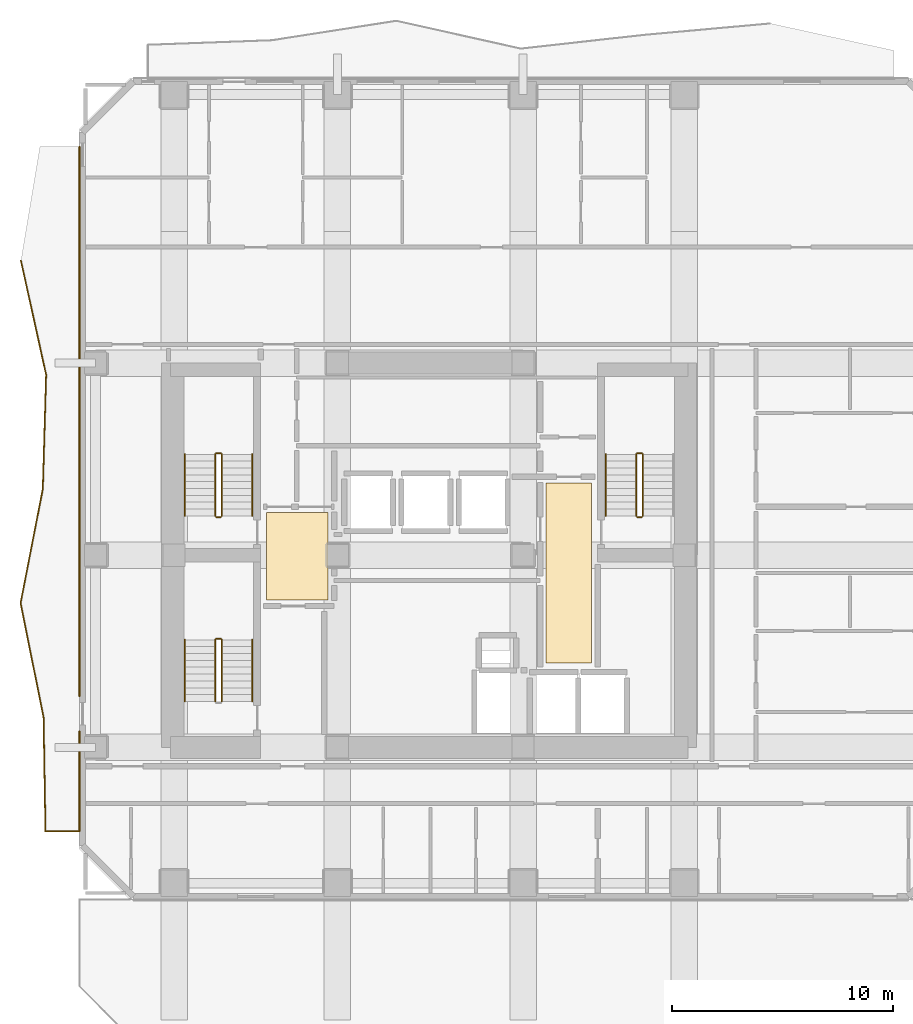
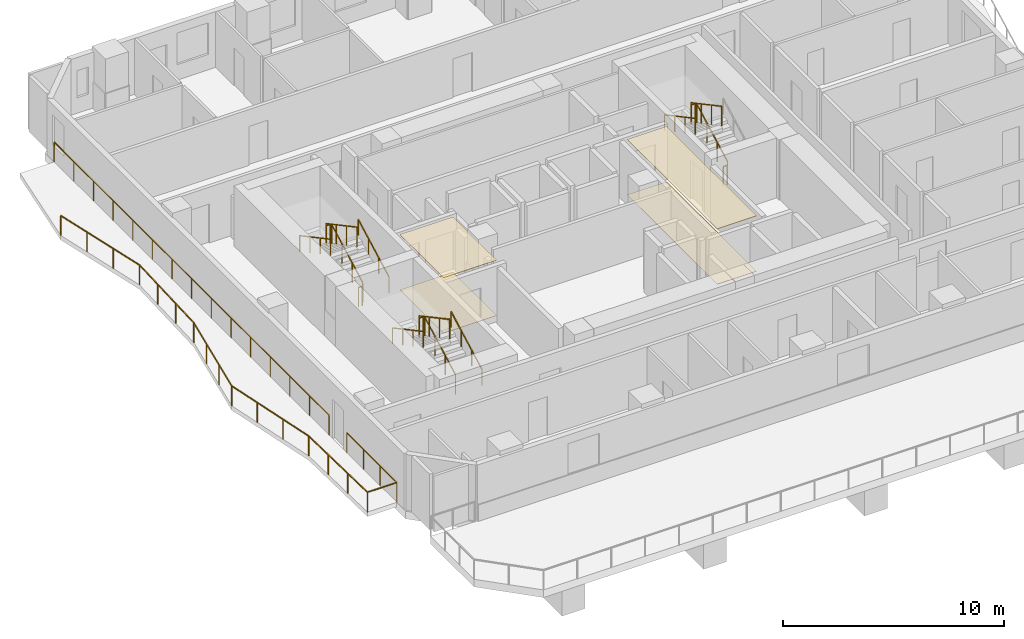
# One storey, part 8 of 9: 18 railings, 4 coverings.
"""IFC4 building model written with IfcOpenShell, lengths in metres."""

from ifc_helpers import new_model, si_unit, direction, frame, origin, origin_2d, place, context, subcontext, project, spatial, polyline, rectangle, outline, extrude, material, layer, layer_set, type_object, element, save


model = new_model("IFC4")

# Units and contexts
model_context = context("Model", 3, precision=1e-05, world=origin(), true_north=direction((0.0, 1.0)))
body_context = subcontext(model_context, "Body", "Model", "MODEL_VIEW")
ifc_project = project(units=[si_unit("LENGTHUNIT", "METRE"), si_unit("AREAUNIT", "SQUARE_METRE"), si_unit("VOLUMEUNIT", "CUBIC_METRE"), si_unit("PLANEANGLEUNIT", "RADIAN"), si_unit("MASSUNIT", "GRAM", prefix="KILO")], contexts=[model_context])

# Site, building, storey
site_placement = place(None, origin())
site = spatial("IfcSite", under=ifc_project, at=site_placement, CompositionType="ELEMENT")
building_placement = place(site_placement, origin())
building = spatial("IfcBuilding", under=site, at=building_placement, Name="Solanera Arch Residences", CompositionType="ELEMENT")
storey_placement = place(building_placement, frame((0.0, 0.0, 145.919921875)))
storey = spatial("IfcBuildingStorey", under=building, at=storey_placement, Name="L42", CompositionType="ELEMENT", Elevation=145.919921875)

# Railings
ifc_material_1 = material(Name="Steel S355 (ASTM A992 / A572 Grade 50)", Category="steel")
railing_type_1 = type_object("IfcRailingType", Name="Balustrade Railing BL-1100", PredefinedType="BALUSTRADE", material=ifc_material_1)
railing_1_placement = place(storey_placement, frame((6.468017578125, 44.032958984375, 0.0)))
element("IfcRailing", 1, at=railing_1_placement, inside=storey, type_object=railing_type_1, Name="L42 W Balcony Balustrade 1", PredefinedType="BALUSTRADE", context=body_context, shape_type="SweptSolid", body=[
    extrude(rectangle(XDim=0.048095703125, YDim=0.048095703125, at=origin_2d()), frame((0.0, 0.0, 1.09619140625), z_axis=(0.215293159236, -0.976549463973, 0.0), x_axis=(0.976549463973, 0.215293159236, 0.0)), (0.0, 0.0, 1.0), 5.2900390625),
    extrude(rectangle(XDim=0.048095703125, YDim=0.048095703125, at=origin_2d()), frame((1.138916015625, -5.166015625, 1.09619140625), z_axis=(-0.028999327663, -0.999579431058, 0.0), x_axis=(0.999579431058, -0.028999327663, 0.0)), (0.0, 0.0, 1.0), 5.169189453125),
    extrude(rectangle(XDim=0.048095703125, YDim=0.048095703125, at=origin_2d()), frame((0.989013671875, -10.3330078125, 1.09619140625), z_axis=(-0.191306587283, -0.981530330485, 0.0), x_axis=(0.981530330485, -0.191306587283, 0.0)), (0.0, 0.0, 1.0), 5.26416015625),
    extrude(rectangle(XDim=0.048095703125, YDim=0.048095703125, at=origin_2d()), frame((-0.01806640625, -15.5, 1.09619140625), z_axis=(0.197541396212, -0.980294545931, 0.0), x_axis=(0.980294545931, 0.197541396212, 0.0)), (0.0, 0.0, 1.0), 5.269775390625),
    extrude(rectangle(XDim=0.048095703125, YDim=0.048095703125, at=origin_2d()), frame((1.02294921875, -20.666015625, 1.09619140625), z_axis=(0.016629716702, -0.9998617167, 0.0), x_axis=(0.9998617167, 0.016629716702, 0.0)), (0.0, 0.0, 1.0), 5.167724609375),
    extrude(rectangle(XDim=0.048095703125, YDim=0.048095703125, at=origin_2d()), frame((1.10888671875, -25.8330078125, 1.09619140625), z_axis=(1.0, 0.0, 0.0), x_axis=(0.0, 1.0, 0.0)), (0.0, 0.0, 1.0), 1.543212890625),
    extrude(rectangle(XDim=0.048095703125, YDim=0.048095703125, at=origin_2d()), frame((2.652099609375, -25.8330078125, 1.09619140625), z_axis=(0.0, 1.0, 0.0), x_axis=(-1.0, 0.0, 0.0)), (0.0, 0.0, 1.0), 4.52197265625),
    extrude(rectangle(XDim=0.0419921875, YDim=0.0419921875, at=origin_2d()), origin(), (0.0, 0.0, 1.0), 1.072021484375),
    extrude(rectangle(XDim=0.0419921875, YDim=0.0419921875, at=origin_2d()), frame((0.379638671875, -1.721923828125, 0.0)), (0.0, 0.0, 1.0), 1.072021484375),
    extrude(rectangle(XDim=0.0419921875, YDim=0.0419921875, at=origin_2d()), frame((0.75927734375, -3.444091796875, 0.0)), (0.0, 0.0, 1.0), 1.072021484375),
    extrude(rectangle(XDim=0.0419921875, YDim=0.0419921875, at=origin_2d()), frame((1.138916015625, -5.166015625, 0.0)), (0.0, 0.0, 1.0), 1.072021484375),
    extrude(rectangle(XDim=0.0419921875, YDim=0.0419921875, at=origin_2d()), frame((1.0888671875, -6.888427734375, 0.0)), (0.0, 0.0, 1.0), 1.072021484375),
    extrude(rectangle(XDim=0.0419921875, YDim=0.0419921875, at=origin_2d()), frame((1.0390625, -8.610595703125, 0.0)), (0.0, 0.0, 1.0), 1.072021484375),
    extrude(rectangle(XDim=0.0419921875, YDim=0.0419921875, at=origin_2d()), frame((0.989013671875, -10.3330078125, 0.0)), (0.0, 0.0, 1.0), 1.072021484375),
    extrude(rectangle(XDim=0.0419921875, YDim=0.0419921875, at=origin_2d()), frame((0.6533203125, -12.055419921875, 0.0)), (0.0, 0.0, 1.0), 1.072021484375),
    extrude(rectangle(XDim=0.0419921875, YDim=0.0419921875, at=origin_2d()), frame((0.317626953125, -13.777587890625, 0.0)), (0.0, 0.0, 1.0), 1.072021484375),
    extrude(rectangle(XDim=0.0419921875, YDim=0.0419921875, at=origin_2d()), frame((-0.01806640625, -15.5, 0.0)), (0.0, 0.0, 1.0), 1.072021484375),
    extrude(rectangle(XDim=0.0419921875, YDim=0.0419921875, at=origin_2d()), frame((0.328857421875, -17.221923828125, 0.0)), (0.0, 0.0, 1.0), 1.072021484375),
    extrude(rectangle(XDim=0.0419921875, YDim=0.0419921875, at=origin_2d()), frame((0.676025390625, -18.944091796875, 0.0)), (0.0, 0.0, 1.0), 1.072021484375),
    extrude(rectangle(XDim=0.0419921875, YDim=0.0419921875, at=origin_2d()), frame((1.02294921875, -20.666015625, 0.0)), (0.0, 0.0, 1.0), 1.072021484375),
    extrude(rectangle(XDim=0.0419921875, YDim=0.0419921875, at=origin_2d()), frame((1.051513671875, -22.388427734375, 0.0)), (0.0, 0.0, 1.0), 1.072021484375),
    extrude(rectangle(XDim=0.0419921875, YDim=0.0419921875, at=origin_2d()), frame((1.080322265625, -24.110595703125, 0.0)), (0.0, 0.0, 1.0), 1.072021484375),
    extrude(rectangle(XDim=0.0419921875, YDim=0.0419921875, at=origin_2d()), frame((1.10888671875, -25.8330078125, 0.0)), (0.0, 0.0, 1.0), 1.072021484375),
    extrude(rectangle(XDim=0.0419921875, YDim=0.0419921875, at=origin_2d()), frame((2.652099609375, -25.8330078125, 0.0)), (0.0, 0.0, 1.0), 1.072021484375),
    extrude(rectangle(XDim=0.0419921875, YDim=0.0419921875, at=origin_2d()), frame((2.652099609375, -24.32568359375, 0.0)), (0.0, 0.0, 1.0), 1.072021484375),
    extrude(rectangle(XDim=0.0419921875, YDim=0.0419921875, at=origin_2d()), frame((2.652099609375, -22.818359375, 0.0)), (0.0, 0.0, 1.0), 1.072021484375),
    extrude(rectangle(XDim=0.0419921875, YDim=0.0419921875, at=origin_2d()), frame((2.652099609375, -21.31103515625, 0.0)), (0.0, 0.0, 1.0), 1.072021484375),
])
railing_2_placement = place(storey_placement, frame((9.1201171875, 24.322021484375, 0.0)))
element("IfcRailing", 2, at=railing_2_placement, inside=storey, type_object=railing_type_1, Name="L42 W Balcony Balustrade 2", PredefinedType="BALUSTRADE", context=body_context, shape_type="SweptSolid", body=[
    extrude(rectangle(XDim=0.048095703125, YDim=0.048095703125, at=origin_2d()), frame((0.0, 0.0, 1.09619140625), z_axis=(0.0, 1.0, 0.0), x_axis=(-1.0, 0.0, 0.0)), (0.0, 0.0, 1.0), 24.8779296875),
    extrude(rectangle(XDim=0.0419921875, YDim=0.0419921875, at=origin_2d()), origin(), (0.0, 0.0, 1.0), 1.072021484375),
    extrude(rectangle(XDim=0.0419921875, YDim=0.0419921875, at=origin_2d()), frame((0.0, 1.777099609375, 0.0)), (0.0, 0.0, 1.0), 1.072021484375),
    extrude(rectangle(XDim=0.0419921875, YDim=0.0419921875, at=origin_2d()), frame((0.0, 3.553955078125, 0.0)), (0.0, 0.0, 1.0), 1.072021484375),
    extrude(rectangle(XDim=0.0419921875, YDim=0.0419921875, at=origin_2d()), frame((0.0, 5.3310546875, 0.0)), (0.0, 0.0, 1.0), 1.072021484375),
    extrude(rectangle(XDim=0.0419921875, YDim=0.0419921875, at=origin_2d()), frame((0.0, 7.10791015625, 0.0)), (0.0, 0.0, 1.0), 1.072021484375),
    extrude(rectangle(XDim=0.0419921875, YDim=0.0419921875, at=origin_2d()), frame((0.0, 8.885009765625, 0.0)), (0.0, 0.0, 1.0), 1.072021484375),
    extrude(rectangle(XDim=0.0419921875, YDim=0.0419921875, at=origin_2d()), frame((0.0, 10.661865234375, 0.0)), (0.0, 0.0, 1.0), 1.072021484375),
    extrude(rectangle(XDim=0.0419921875, YDim=0.0419921875, at=origin_2d()), frame((0.0, 12.43896484375, 0.0)), (0.0, 0.0, 1.0), 1.072021484375),
    extrude(rectangle(XDim=0.0419921875, YDim=0.0419921875, at=origin_2d()), frame((0.0, 14.216064453125, 0.0)), (0.0, 0.0, 1.0), 1.072021484375),
    extrude(rectangle(XDim=0.0419921875, YDim=0.0419921875, at=origin_2d()), frame((0.0, 15.992919921875, 0.0)), (0.0, 0.0, 1.0), 1.072021484375),
    extrude(rectangle(XDim=0.0419921875, YDim=0.0419921875, at=origin_2d()), frame((0.0, 17.77001953125, 0.0)), (0.0, 0.0, 1.0), 1.072021484375),
    extrude(rectangle(XDim=0.0419921875, YDim=0.0419921875, at=origin_2d()), frame((0.0, 19.546875, 0.0)), (0.0, 0.0, 1.0), 1.072021484375),
    extrude(rectangle(XDim=0.0419921875, YDim=0.0419921875, at=origin_2d()), frame((0.0, 21.323974609375, 0.0)), (0.0, 0.0, 1.0), 1.072021484375),
    extrude(rectangle(XDim=0.0419921875, YDim=0.0419921875, at=origin_2d()), frame((0.0, 23.100830078125, 0.0)), (0.0, 0.0, 1.0), 1.072021484375),
    extrude(rectangle(XDim=0.0419921875, YDim=0.0419921875, at=origin_2d()), frame((0.0, 24.8779296875, 0.0)), (0.0, 0.0, 1.0), 1.072021484375),
])

# Coverings
ifc_material_2 = material(Name="Porcelain Acoustic Floor Tile", Category="ceramic")
ifc_layer_1 = layer(ifc_material_2, 0.02001953125)
ifc_layer_set_1 = layer_set([ifc_layer_1], Name="Porcelain Acoustic Floor Tile")
covering_type_1 = type_object("IfcCoveringType", Name="Porcelain Acoustic Floor Finish FLR-20", PredefinedType="FLOORING", material=ifc_layer_set_1)
covering_1_placement = place(storey_placement, origin())
element("IfcCovering", 3, at=covering_1_placement, inside=storey, type_object=covering_type_1, Name="L42-FFL-W Porcelain Floor Finish", PredefinedType="FLOORING", context=body_context, shape_type="SweptSolid", body=[
    extrude(outline(polyline([(20.375, 28.675048828125), (17.594970703125, 28.675048828125), (17.594970703125, 32.625), (20.375, 32.625), (20.375, 28.675048828125)])), origin(), (0.0, 0.0, 1.0), 0.02001953125),
])
covering_2_placement = place(storey_placement, origin())
element("IfcCovering", 4, at=covering_2_placement, inside=storey, type_object=covering_type_1, Name="L42-FFL-E Porcelain Floor Finish", PredefinedType="FLOORING", context=body_context, shape_type="SweptSolid", body=[
    extrude(outline(polyline([(32.304931640625, 25.824951171875), (30.25, 25.824951171875), (30.25, 33.97509765625), (32.304931640625, 33.97509765625), (32.304931640625, 25.824951171875)])), origin(), (0.0, 0.0, 1.0), 0.02001953125),
])

# Railings
ifc_material_3 = material(Name="Steel S355 (ASTM A992 / A572 Grade 50)", Category="steel")
railing_type_2 = type_object("IfcRailingType", Name="Stair Guardrail GR-1100", PredefinedType="GUARDRAIL", material=ifc_material_3)
railing_3_placement = place(storey_placement, frame((15.570068359375, 32.47998046875, 0.151123046875)))
element("IfcRailing", 5, at=railing_3_placement, inside=storey, type_object=railing_type_2, Name="L42 ST-T1 stair guard 1", PredefinedType="GUARDRAIL", context=body_context, shape_type="SweptSolid", body=[
    extrude(rectangle(XDim=0.048095703125, YDim=0.048095703125, at=origin_2d()), frame((0.0, 0.0, 1.076171875), z_axis=(0.0, 0.881580869306, 0.472033018838), x_axis=(-1.0, 0.0, 0.0)), (0.0, 0.0, 1.0), 3.164794921875),
    extrude(rectangle(XDim=0.0419921875, YDim=0.0419921875, at=origin_2d()), origin(), (0.0, 0.0, 1.0), 1.052001953125),
    extrude(rectangle(XDim=0.0419921875, YDim=0.0419921875, at=origin_2d()), frame((0.0, 0.929931640625, 0.498046875)), (0.0, 0.0, 1.0), 1.052001953125),
    extrude(rectangle(XDim=0.0419921875, YDim=0.0419921875, at=origin_2d()), frame((0.0, 1.860107421875, 0.995849609375)), (0.0, 0.0, 1.0), 1.052001953125),
    extrude(rectangle(XDim=0.0419921875, YDim=0.0419921875, at=origin_2d()), frame((0.0, 2.7900390625, 1.493896484375)), (0.0, 0.0, 1.0), 1.052001953125),
])
railing_4_placement = place(storey_placement, frame((15.52001953125, 35.320068359375, 1.64501953125)))
element("IfcRailing", 6, at=railing_4_placement, inside=storey, type_object=railing_type_2, Name="L42 ST-T1 stair guard 2", PredefinedType="GUARDRAIL", context=body_context, shape_type="SweptSolid", body=[
    extrude(rectangle(XDim=0.048095703125, YDim=0.048095703125, at=origin_2d()), frame((0.0, 0.0, 1.076171875), z_axis=(-1.0, 0.0, 0.0), x_axis=(0.0, -1.0, 0.0)), (0.0, 0.0, 1.0), 0.199951171875),
    extrude(rectangle(XDim=0.0419921875, YDim=0.0419921875, at=origin_2d()), origin(), (0.0, 0.0, 1.0), 1.052001953125),
    extrude(rectangle(XDim=0.0419921875, YDim=0.0419921875, at=origin_2d()), frame((-0.199951171875, 0.0, 0.0)), (0.0, 0.0, 1.0), 1.052001953125),
])
railing_5_placement = place(storey_placement, frame((15.27001953125, 35.27001953125, 1.81103515625)))
element("IfcRailing", 7, at=railing_5_placement, inside=storey, type_object=railing_type_2, Name="L42 ST-T1 stair guard 3", PredefinedType="GUARDRAIL", context=body_context, shape_type="SweptSolid", body=[
    extrude(rectangle(XDim=0.048095703125, YDim=0.048095703125, at=origin_2d()), frame((0.0, 0.0, 1.076171875), z_axis=(0.0, -0.881548766853, 0.472092969298), x_axis=(1.0, 0.0, 0.0)), (0.0, 0.0, 1.0), 3.1650390625),
    extrude(rectangle(XDim=0.0419921875, YDim=0.0419921875, at=origin_2d()), origin(), (0.0, 0.0, 1.0), 1.052001953125),
    extrude(rectangle(XDim=0.0419921875, YDim=0.0419921875, at=origin_2d()), frame((0.0, -0.929931640625, 0.498046875)), (0.0, 0.0, 1.0), 1.052001953125),
    extrude(rectangle(XDim=0.0419921875, YDim=0.0419921875, at=origin_2d()), frame((0.0, -1.860107421875, 0.99609375)), (0.0, 0.0, 1.0), 1.052001953125),
    extrude(rectangle(XDim=0.0419921875, YDim=0.0419921875, at=origin_2d()), frame((0.0, -2.7900390625, 1.494140625)), (0.0, 0.0, 1.0), 1.052001953125),
])
railing_6_placement = place(storey_placement, frame((15.52001953125, 32.429931640625, -0.014892578125)))
element("IfcRailing", 8, at=railing_6_placement, inside=storey, type_object=railing_type_2, Name="L42 ST-T1 stair guard 4", PredefinedType="GUARDRAIL", context=body_context, shape_type="SweptSolid", body=[
    extrude(rectangle(XDim=0.048095703125, YDim=0.048095703125, at=origin_2d()), frame((0.0, 0.0, 1.076171875), z_axis=(-1.0, 0.0, 0.0), x_axis=(0.0, -1.0, 0.0)), (0.0, 0.0, 1.0), 0.199951171875),
    extrude(rectangle(XDim=0.0419921875, YDim=0.0419921875, at=origin_2d()), origin(), (0.0, 0.0, 1.0), 1.052001953125),
    extrude(rectangle(XDim=0.0419921875, YDim=0.0419921875, at=origin_2d()), frame((-0.199951171875, 0.0, 0.0)), (0.0, 0.0, 1.0), 1.052001953125),
])
railing_7_placement = place(storey_placement, frame((34.6298828125, 32.47998046875, 0.151123046875)))
element("IfcRailing", 9, at=railing_7_placement, inside=storey, type_object=railing_type_2, Name="L42 ST-T2 stair guard 1", PredefinedType="GUARDRAIL", context=body_context, shape_type="SweptSolid", body=[
    extrude(rectangle(XDim=0.048095703125, YDim=0.048095703125, at=origin_2d()), frame((0.0, 0.0, 1.076171875), z_axis=(0.0, 0.881580869306, 0.472033018838), x_axis=(-1.0, 0.0, 0.0)), (0.0, 0.0, 1.0), 3.164794921875),
    extrude(rectangle(XDim=0.0419921875, YDim=0.0419921875, at=origin_2d()), origin(), (0.0, 0.0, 1.0), 1.052001953125),
    extrude(rectangle(XDim=0.0419921875, YDim=0.0419921875, at=origin_2d()), frame((0.0, 0.929931640625, 0.498046875)), (0.0, 0.0, 1.0), 1.052001953125),
    extrude(rectangle(XDim=0.0419921875, YDim=0.0419921875, at=origin_2d()), frame((0.0, 1.860107421875, 0.995849609375)), (0.0, 0.0, 1.0), 1.052001953125),
    extrude(rectangle(XDim=0.0419921875, YDim=0.0419921875, at=origin_2d()), frame((0.0, 2.7900390625, 1.493896484375)), (0.0, 0.0, 1.0), 1.052001953125),
])
railing_8_placement = place(storey_placement, frame((34.580078125, 35.320068359375, 1.64501953125)))
element("IfcRailing", 10, at=railing_8_placement, inside=storey, type_object=railing_type_2, Name="L42 ST-T2 stair guard 2", PredefinedType="GUARDRAIL", context=body_context, shape_type="SweptSolid", body=[
    extrude(rectangle(XDim=0.048095703125, YDim=0.048095703125, at=origin_2d()), frame((0.0, 0.0, 1.076171875), z_axis=(-1.0, 0.0, 0.0), x_axis=(0.0, -1.0, 0.0)), (0.0, 0.0, 1.0), 0.2001953125),
    extrude(rectangle(XDim=0.0419921875, YDim=0.0419921875, at=origin_2d()), origin(), (0.0, 0.0, 1.0), 1.052001953125),
    extrude(rectangle(XDim=0.0419921875, YDim=0.0419921875, at=origin_2d()), frame((-0.2001953125, 0.0, 0.0)), (0.0, 0.0, 1.0), 1.052001953125),
])
railing_9_placement = place(storey_placement, frame((34.330078125, 35.27001953125, 1.81103515625)))
element("IfcRailing", 11, at=railing_9_placement, inside=storey, type_object=railing_type_2, Name="L42 ST-T2 stair guard 3", PredefinedType="GUARDRAIL", context=body_context, shape_type="SweptSolid", body=[
    extrude(rectangle(XDim=0.048095703125, YDim=0.048095703125, at=origin_2d()), frame((0.0, 0.0, 1.076171875), z_axis=(0.0, -0.881548766853, 0.472092969298), x_axis=(1.0, 0.0, 0.0)), (0.0, 0.0, 1.0), 3.1650390625),
    extrude(rectangle(XDim=0.0419921875, YDim=0.0419921875, at=origin_2d()), origin(), (0.0, 0.0, 1.0), 1.052001953125),
    extrude(rectangle(XDim=0.0419921875, YDim=0.0419921875, at=origin_2d()), frame((0.0, -0.929931640625, 0.498046875)), (0.0, 0.0, 1.0), 1.052001953125),
    extrude(rectangle(XDim=0.0419921875, YDim=0.0419921875, at=origin_2d()), frame((0.0, -1.860107421875, 0.99609375)), (0.0, 0.0, 1.0), 1.052001953125),
    extrude(rectangle(XDim=0.0419921875, YDim=0.0419921875, at=origin_2d()), frame((0.0, -2.7900390625, 1.494140625)), (0.0, 0.0, 1.0), 1.052001953125),
])
railing_10_placement = place(storey_placement, frame((34.580078125, 32.429931640625, -0.014892578125)))
element("IfcRailing", 12, at=railing_10_placement, inside=storey, type_object=railing_type_2, Name="L42 ST-T2 stair guard 4", PredefinedType="GUARDRAIL", context=body_context, shape_type="SweptSolid", body=[
    extrude(rectangle(XDim=0.048095703125, YDim=0.048095703125, at=origin_2d()), frame((0.0, 0.0, 1.076171875), z_axis=(-1.0, 0.0, 0.0), x_axis=(0.0, -1.0, 0.0)), (0.0, 0.0, 1.0), 0.2001953125),
    extrude(rectangle(XDim=0.0419921875, YDim=0.0419921875, at=origin_2d()), origin(), (0.0, 0.0, 1.0), 1.052001953125),
    extrude(rectangle(XDim=0.0419921875, YDim=0.0419921875, at=origin_2d()), frame((-0.2001953125, 0.0, 0.0)), (0.0, 0.0, 1.0), 1.052001953125),
])
railing_11_placement = place(storey_placement, frame((15.570068359375, 24.080078125, 0.151123046875)))
element("IfcRailing", 13, at=railing_11_placement, inside=storey, type_object=railing_type_2, Name="L42 ST-T3 stair guard 1", PredefinedType="GUARDRAIL", context=body_context, shape_type="SweptSolid", body=[
    extrude(rectangle(XDim=0.048095703125, YDim=0.048095703125, at=origin_2d()), frame((0.0, 0.0, 1.076171875), z_axis=(0.0, 0.881580869306, 0.472033018838), x_axis=(-1.0, 0.0, 0.0)), (0.0, 0.0, 1.0), 3.164794921875),
    extrude(rectangle(XDim=0.0419921875, YDim=0.0419921875, at=origin_2d()), origin(), (0.0, 0.0, 1.0), 1.052001953125),
    extrude(rectangle(XDim=0.0419921875, YDim=0.0419921875, at=origin_2d()), frame((0.0, 0.929931640625, 0.498046875)), (0.0, 0.0, 1.0), 1.052001953125),
    extrude(rectangle(XDim=0.0419921875, YDim=0.0419921875, at=origin_2d()), frame((0.0, 1.860107421875, 0.995849609375)), (0.0, 0.0, 1.0), 1.052001953125),
    extrude(rectangle(XDim=0.0419921875, YDim=0.0419921875, at=origin_2d()), frame((0.0, 2.7900390625, 1.493896484375)), (0.0, 0.0, 1.0), 1.052001953125),
])
railing_12_placement = place(storey_placement, frame((15.52001953125, 26.919921875, 1.64501953125)))
element("IfcRailing", 14, at=railing_12_placement, inside=storey, type_object=railing_type_2, Name="L42 ST-T3 stair guard 2", PredefinedType="GUARDRAIL", context=body_context, shape_type="SweptSolid", body=[
    extrude(rectangle(XDim=0.048095703125, YDim=0.048095703125, at=origin_2d()), frame((0.0, 0.0, 1.076171875), z_axis=(-1.0, 0.0, 0.0), x_axis=(0.0, -1.0, 0.0)), (0.0, 0.0, 1.0), 0.199951171875),
    extrude(rectangle(XDim=0.0419921875, YDim=0.0419921875, at=origin_2d()), origin(), (0.0, 0.0, 1.0), 1.052001953125),
    extrude(rectangle(XDim=0.0419921875, YDim=0.0419921875, at=origin_2d()), frame((-0.199951171875, 0.0, 0.0)), (0.0, 0.0, 1.0), 1.052001953125),
])
railing_13_placement = place(storey_placement, frame((15.27001953125, 26.8701171875, 1.81103515625)))
element("IfcRailing", 15, at=railing_13_placement, inside=storey, type_object=railing_type_2, Name="L42 ST-T3 stair guard 3", PredefinedType="GUARDRAIL", context=body_context, shape_type="SweptSolid", body=[
    extrude(rectangle(XDim=0.048095703125, YDim=0.048095703125, at=origin_2d()), frame((0.0, 0.0, 1.076171875), z_axis=(0.0, -0.881548766853, 0.472092969298), x_axis=(1.0, 0.0, 0.0)), (0.0, 0.0, 1.0), 3.1650390625),
    extrude(rectangle(XDim=0.0419921875, YDim=0.0419921875, at=origin_2d()), origin(), (0.0, 0.0, 1.0), 1.052001953125),
    extrude(rectangle(XDim=0.0419921875, YDim=0.0419921875, at=origin_2d()), frame((0.0, -0.929931640625, 0.498046875)), (0.0, 0.0, 1.0), 1.052001953125),
    extrude(rectangle(XDim=0.0419921875, YDim=0.0419921875, at=origin_2d()), frame((0.0, -1.860107421875, 0.99609375)), (0.0, 0.0, 1.0), 1.052001953125),
    extrude(rectangle(XDim=0.0419921875, YDim=0.0419921875, at=origin_2d()), frame((0.0, -2.7900390625, 1.494140625)), (0.0, 0.0, 1.0), 1.052001953125),
])
ifc_material_4 = material(Name="Steel S355 (ASTM A992 / A572 Grade 50)", Category="steel")
railing_type_3 = type_object("IfcRailingType", Name="Stair Wall Handrail HR-920", PredefinedType="HANDRAIL", material=ifc_material_4)
railing_14_placement = place(storey_placement, frame((16.949951171875, 32.47998046875, 0.166015625)))
element("IfcRailing", 16, at=railing_14_placement, inside=storey, type_object=railing_type_3, Name="L42 ST-T1 stair handrail 1", PredefinedType="HANDRAIL", context=body_context, shape_type="SweptSolid", body=[
    extrude(rectangle(XDim=0.048095703125, YDim=0.048095703125, at=origin_2d()), frame((0.0, 0.0, 0.8759765625), z_axis=(0.0, 0.881548766853, 0.472092969298), x_axis=(-1.0, 0.0, 0.0)), (0.0, 0.0, 1.0), 3.1650390625),
    extrude(rectangle(XDim=0.0419921875, YDim=0.0419921875, at=origin_2d()), origin(), (0.0, 0.0, 1.0), 0.851806640625),
    extrude(rectangle(XDim=0.0419921875, YDim=0.0419921875, at=origin_2d()), frame((0.0, 0.929931640625, 0.498046875)), (0.0, 0.0, 1.0), 0.851806640625),
    extrude(rectangle(XDim=0.0419921875, YDim=0.0419921875, at=origin_2d()), frame((0.0, 1.860107421875, 0.99609375)), (0.0, 0.0, 1.0), 0.851806640625),
    extrude(rectangle(XDim=0.0419921875, YDim=0.0419921875, at=origin_2d()), frame((0.0, 2.7900390625, 1.494140625)), (0.0, 0.0, 1.0), 0.851806640625),
])
for number, where, name in (
    (17, (13.889892578125, 35.27001953125, 1.826171875), "L42 ST-T1 stair handrail 2"),
    (18, (32.949951171875, 35.27001953125, 1.826171875), "L42 ST-T2 stair handrail 2"),
):
    element("IfcRailing", number, at=place(storey_placement, frame(where)), inside=storey, type_object=railing_type_3, Name=name, PredefinedType="HANDRAIL", context=body_context, shape_type="SweptSolid", body=[
        extrude(rectangle(XDim=0.048095703125, YDim=0.048095703125, at=origin_2d()), frame((0.0, 0.0, 0.8759765625), z_axis=(0.0, -0.881580869306, 0.472033018838), x_axis=(1.0, 0.0, 0.0)), (0.0, 0.0, 1.0), 3.164794921875),
        extrude(rectangle(XDim=0.0419921875, YDim=0.0419921875, at=origin_2d()), origin(), (0.0, 0.0, 1.0), 0.851806640625),
        extrude(rectangle(XDim=0.0419921875, YDim=0.0419921875, at=origin_2d()), frame((0.0, -0.929931640625, 0.498046875)), (0.0, 0.0, 1.0), 0.851806640625),
        extrude(rectangle(XDim=0.0419921875, YDim=0.0419921875, at=origin_2d()), frame((0.0, -1.860107421875, 0.995849609375)), (0.0, 0.0, 1.0), 0.851806640625),
        extrude(rectangle(XDim=0.0419921875, YDim=0.0419921875, at=origin_2d()), frame((0.0, -2.7900390625, 1.493896484375)), (0.0, 0.0, 1.0), 0.851806640625),
    ])
railing_15_placement = place(storey_placement, frame((16.949951171875, 24.080078125, 0.166015625)))
element("IfcRailing", 19, at=railing_15_placement, inside=storey, type_object=railing_type_3, Name="L42 ST-T3 stair handrail 1", PredefinedType="HANDRAIL", context=body_context, shape_type="SweptSolid", body=[
    extrude(rectangle(XDim=0.048095703125, YDim=0.048095703125, at=origin_2d()), frame((0.0, 0.0, 0.8759765625), z_axis=(0.0, 0.881548766853, 0.472092969298), x_axis=(-1.0, 0.0, 0.0)), (0.0, 0.0, 1.0), 3.1650390625),
    extrude(rectangle(XDim=0.0419921875, YDim=0.0419921875, at=origin_2d()), origin(), (0.0, 0.0, 1.0), 0.851806640625),
    extrude(rectangle(XDim=0.0419921875, YDim=0.0419921875, at=origin_2d()), frame((0.0, 0.929931640625, 0.498046875)), (0.0, 0.0, 1.0), 0.851806640625),
    extrude(rectangle(XDim=0.0419921875, YDim=0.0419921875, at=origin_2d()), frame((0.0, 1.860107421875, 0.99609375)), (0.0, 0.0, 1.0), 0.851806640625),
    extrude(rectangle(XDim=0.0419921875, YDim=0.0419921875, at=origin_2d()), frame((0.0, 2.7900390625, 1.494140625)), (0.0, 0.0, 1.0), 0.851806640625),
])
railing_16_placement = place(storey_placement, frame((13.889892578125, 26.8701171875, 1.826171875)))
element("IfcRailing", 20, at=railing_16_placement, inside=storey, type_object=railing_type_3, Name="L42 ST-T3 stair handrail 2", PredefinedType="HANDRAIL", context=body_context, shape_type="SweptSolid", body=[
    extrude(rectangle(XDim=0.048095703125, YDim=0.048095703125, at=origin_2d()), frame((0.0, 0.0, 0.8759765625), z_axis=(0.0, -0.881580869306, 0.472033018838), x_axis=(1.0, 0.0, 0.0)), (0.0, 0.0, 1.0), 3.164794921875),
    extrude(rectangle(XDim=0.0419921875, YDim=0.0419921875, at=origin_2d()), origin(), (0.0, 0.0, 1.0), 0.851806640625),
    extrude(rectangle(XDim=0.0419921875, YDim=0.0419921875, at=origin_2d()), frame((0.0, -0.929931640625, 0.498046875)), (0.0, 0.0, 1.0), 0.851806640625),
    extrude(rectangle(XDim=0.0419921875, YDim=0.0419921875, at=origin_2d()), frame((0.0, -1.860107421875, 0.995849609375)), (0.0, 0.0, 1.0), 0.851806640625),
    extrude(rectangle(XDim=0.0419921875, YDim=0.0419921875, at=origin_2d()), frame((0.0, -2.7900390625, 1.493896484375)), (0.0, 0.0, 1.0), 0.851806640625),
])

# Coverings
ifc_material_5 = material(Name="Mineral Fibre Acoustic Ceiling Board", Category="gypsum")
ifc_layer_2 = layer(ifc_material_5, 0.02490234375)
ifc_layer_set_2 = layer_set([ifc_layer_2], Name="Mineral Fibre Acoustic Ceiling Board")
covering_type_2 = type_object("IfcCoveringType", Name="Suspended Acoustic Ceiling Board CLG-25", PredefinedType="CEILING", material=ifc_layer_set_2)
covering_3_placement = place(storey_placement, frame((0.0, 0.0, 3.05517578125)))
element("IfcCovering", 21, at=covering_3_placement, inside=storey, type_object=covering_type_2, Name="L42-FFL-W Acoustic Ceiling", PredefinedType="CEILING", context=body_context, shape_type="SweptSolid", body=[
    extrude(outline(polyline([(20.375, 28.675048828125), (17.594970703125, 28.675048828125), (17.594970703125, 32.625), (20.375, 32.625), (20.375, 28.675048828125)])), origin(), (0.0, 0.0, 1.0), 0.02490234375),
])
covering_4_placement = place(storey_placement, frame((0.0, 0.0, 3.05517578125)))
element("IfcCovering", 22, at=covering_4_placement, inside=storey, type_object=covering_type_2, Name="L42-FFL-E Acoustic Ceiling", PredefinedType="CEILING", context=body_context, shape_type="SweptSolid", body=[
    extrude(outline(polyline([(32.304931640625, 25.824951171875), (30.25, 25.824951171875), (30.25, 33.97509765625), (32.304931640625, 33.97509765625), (32.304931640625, 25.824951171875)])), origin(), (0.0, 0.0, 1.0), 0.02490234375),
])

save(model, "model.ifc")
